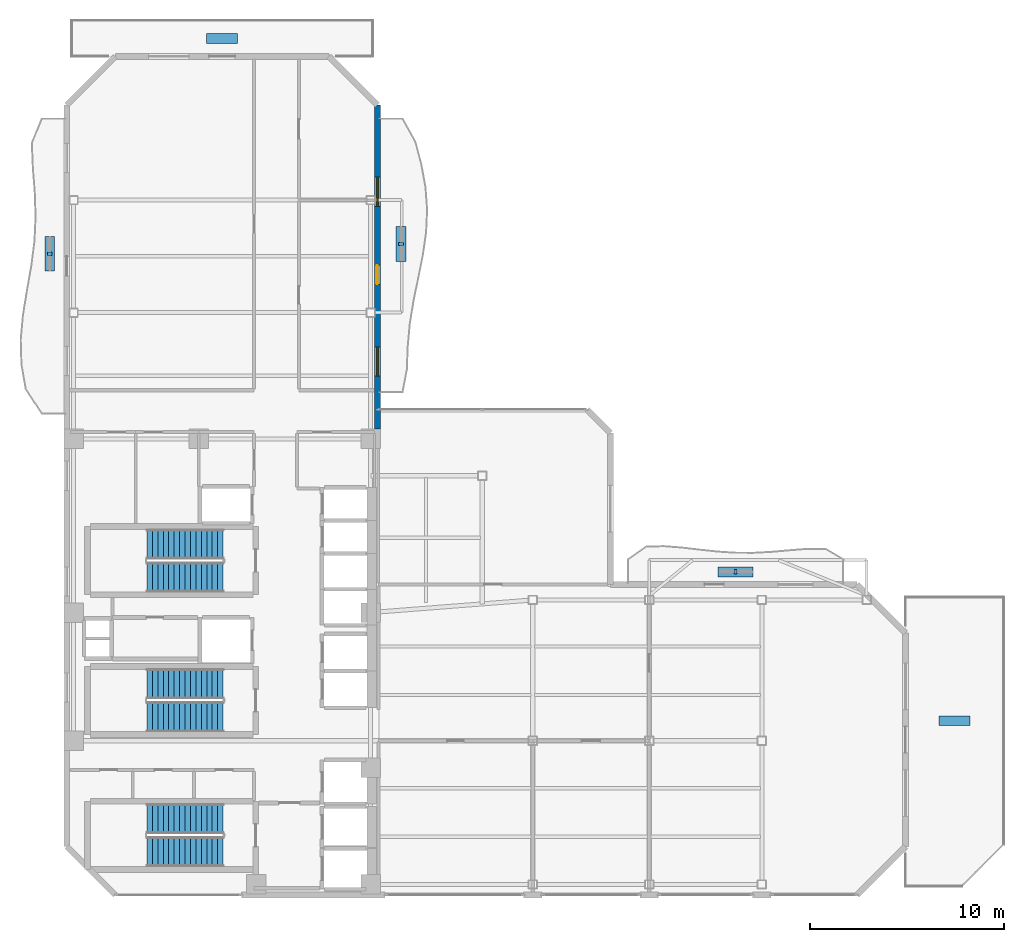
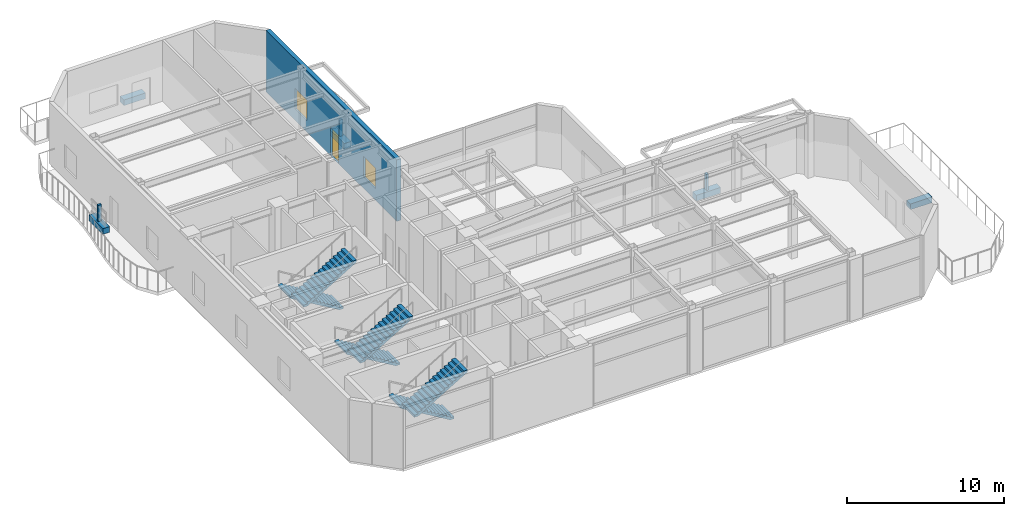
# One storey, part 13 of 16: 8 discrete accessories, 6 stair flights, 2 windows, 1 door, 1 wall, 3 openings, 3 elements without a shape of their own.
"""IFC4 building model written with IfcOpenShell, lengths in metres."""

from ifc_helpers import new_model, si_unit, direction, frame, frame_2d, origin, origin_2d, place, context, subcontext, project, spatial, polyline, rectangle, outline, extrude, material, layer, layer_set, type_object, element, fill, aggregate, save


model = new_model("IFC4")

# Units and contexts
model_context = context("Model", 3, precision=1e-05, world=origin(), true_north=direction((0.0, 1.0)))
body_context = subcontext(model_context, "Body", "Model", "MODEL_VIEW")
ifc_project = project(units=[si_unit("LENGTHUNIT", "METRE"), si_unit("AREAUNIT", "SQUARE_METRE"), si_unit("VOLUMEUNIT", "CUBIC_METRE"), si_unit("PLANEANGLEUNIT", "RADIAN"), si_unit("MASSUNIT", "GRAM", prefix="KILO")], contexts=[model_context])

# Site, building, storey
site_placement = place(None, origin())
site = spatial("IfcSite", under=ifc_project, at=site_placement, CompositionType="ELEMENT")
building_placement = place(site_placement, origin())
building = spatial("IfcBuilding", under=site, at=building_placement, Name="Mawjaban Terraces University", CompositionType="ELEMENT")
storey_placement = place(building_placement, frame((0.0, 0.0, 170.800048828125)))
storey = spatial("IfcBuildingStorey", under=building, at=storey_placement, Name="L41", CompositionType="ELEMENT", Elevation=170.800048828125)

# Wall, openings, door, windows
ifc_material_1 = material(Name="Insulated terracotta rainscreen on concrete backup C40/50", Category="masonry")
ifc_layer = layer(ifc_material_1, 0.300048828125)
ifc_layer_set = layer_set([ifc_layer], Name="Insulated terracotta rainscreen on concrete backup C40/50")
wall_type = type_object("IfcWallType", Name="ExtTerracottaWall_300", PredefinedType="SOLIDWALL", material=ifc_layer_set)
wall_placement = place(storey_placement, frame((38.0, 24.0, 0.0), z_axis=(0.0, 0.0, 1.0), x_axis=(0.0, 1.0, 0.0)))
wall = element("IfcWall", 1, at=wall_placement, inside=storey, type_object=wall_type, Name="L41 Exterior Terracotta Wall 9", PredefinedType="SOLIDWALL", context=body_context, shape_type="SweptSolid", body=[
    extrude(rectangle(XDim=16.699951171875, YDim=0.300048828125, at=frame_2d((8.35009765625, 0.0))), origin(), (0.0, 0.0, 1.0), 4.7900390625),
])
opening_1_placement = place(wall_placement, frame((7.449951171875, 0.0, 0.0)))
opening_1 = element("IfcOpeningElement", 2, at=opening_1_placement, cuts=wall, Name="Opening BD-100", PredefinedType="OPENING", context=body_context, shape_type="SweptSolid", body=[
    extrude(rectangle(XDim=1.0, YDim=2.199951171875, at=frame_2d((0.5, 1.10009765625))), frame((0.0, 0.159912109375, 0.0), z_axis=(0.0, -1.0, 0.0), x_axis=(1.0, 0.0, 0.0)), (0.0, 0.0, 1.0), 0.320068359375),
])
opening_2_placement = place(wall_placement, frame((2.72509765625, 0.0, 0.89990234375)))
opening_2 = element("IfcOpeningElement", 3, at=opening_2_placement, cuts=wall, Name="Opening W-02", PredefinedType="OPENING", context=body_context, shape_type="SweptSolid", body=[
    extrude(rectangle(XDim=1.5, YDim=1.60009765625, at=frame_2d((0.75, 0.800048828125))), frame((0.0, 0.159912109375, 0.0), z_axis=(0.0, -1.0, 0.0), x_axis=(1.0, 0.0, 0.0)), (0.0, 0.0, 1.0), 0.320068359375),
])
opening_3_placement = place(wall_placement, frame((11.47509765625, 0.0, 0.89990234375)))
opening_3 = element("IfcOpeningElement", 4, at=opening_3_placement, cuts=wall, Name="Opening W-02", PredefinedType="OPENING", context=body_context, shape_type="SweptSolid", body=[
    extrude(rectangle(XDim=1.5, YDim=1.60009765625, at=frame_2d((0.75, 0.800048828125))), frame((0.0, 0.159912109375, 0.0), z_axis=(0.0, -1.0, 0.0), x_axis=(1.0, 0.0, 0.0)), (0.0, 0.0, 1.0), 0.320068359375),
])
ifc_material_2 = material(Name="Thermally broken anodised aluminium and laminated safety glass", Category="aluminium")
door_type = type_object("IfcDoorType", Name="BalconyGlazedDoor_1000x2200", OperationType="NOTDEFINED", PredefinedType="DOOR", material=ifc_material_2)
door_placement = place(opening_1_placement, origin())
door = element("IfcDoor", 5, at=door_placement, inside=storey, type_object=door_type, Name="L41 Balcony Access Door inner_east", OperationType="SINGLE_SWING_RIGHT", OverallHeight=2.199951171875, OverallWidth=1.0, PredefinedType="DOOR", context=body_context, shape_type="SweptSolid", body=[
    extrude(rectangle(XDim=1.0, YDim=2.199951171875, at=frame_2d((0.5, 1.10009765625))), frame((0.0, 0.02490234375, 0.0), z_axis=(0.0, -1.0, 0.0), x_axis=(1.0, 0.0, 0.0)), (0.0, 0.0, 1.0), 0.050048828125),
])
fill(opening_1, door)
ifc_material_3 = material(Name="Low-E solar-control double glazing in thermally broken aluminium frame", Category="aluminium")
window_type = type_object("IfcWindowType", Name="Win_1500x1600", PartitioningType="SINGLE_PANEL", PredefinedType="WINDOW", material=ifc_material_3)
window_1_placement = place(opening_2_placement, origin())
window_1 = element("IfcWindow", 6, at=window_1_placement, inside=storey, type_object=window_type, Name="L41 Facade Window 9.1", OverallHeight=1.60009765625, OverallWidth=1.5, PartitioningType="SINGLE_PANEL", PredefinedType="WINDOW", context=body_context, shape_type="SweptSolid", body=[
    extrude(rectangle(XDim=1.5, YDim=1.60009765625, at=frame_2d((0.75, 0.800048828125))), frame((0.0, 0.030029296875, 0.0), z_axis=(0.0, -1.0, 0.0), x_axis=(1.0, 0.0, 0.0)), (0.0, 0.0, 1.0), 0.06005859375),
])
fill(opening_2, window_1)
window_2_placement = place(opening_3_placement, origin())
window_2 = element("IfcWindow", 7, at=window_2_placement, inside=storey, type_object=window_type, Name="L41 Facade Window 9.2", OverallHeight=1.60009765625, OverallWidth=1.5, PartitioningType="SINGLE_PANEL", PredefinedType="WINDOW", context=body_context, shape_type="SweptSolid", body=[
    extrude(rectangle(XDim=1.5, YDim=1.60009765625, at=frame_2d((0.75, 0.800048828125))), frame((0.0, 0.030029296875, 0.0), z_axis=(0.0, -1.0, 0.0), x_axis=(1.0, 0.0, 0.0)), (0.0, 0.0, 1.0), 0.06005859375),
])
fill(opening_3, window_2)

# Stair, stair flights
ifc_material_4 = material(Name="Concrete C40/50", Category="concrete")
stair_type = type_object("IfcStairType", Name="Stair_Core1550_H50", PredefinedType="HALF_TURN_STAIR", material=ifc_material_4)
stair_1_placement = place(storey_placement, origin())
stair_1 = element("IfcStair", 8, at=stair_1_placement, inside=storey, type_object=stair_type, Name="L41 Core Exit Stair 1", PredefinedType="HALF_TURN_STAIR")
stair_flight_type = type_object("IfcStairFlightType", Name="Flight_Core1550_H50", PredefinedType="STRAIGHT", material=ifc_material_4)
stair_flight_1_placement = place(storey_placement, frame((30.050048828125, 3.925048828125, 0.0), z_axis=(0.0, 0.0, 1.0), x_axis=(-1.0, 0.0, 0.0)))
stair_flight_1 = element("IfcStairFlight", 9, at=stair_flight_1_placement, type_object=stair_flight_type, Name="ST-1 flight 1", NumberOfRisers=15, NumberOfTreads=14, PredefinedType="STRAIGHT", RiserHeight=0.166666667, TreadLength=0.28, context=body_context, shape_type="SweptSolid", body=[
    extrude(outline(polyline([(0.0, 0.0), (0.0, 0.166748046875), (0.280029296875, 0.166748046875), (0.280029296875, 0.333251953125), (0.56005859375, 0.333251953125), (0.56005859375, 0.5), (0.840087890625, 0.5), (0.840087890625, 0.666748046875), (1.1201171875, 0.666748046875), (1.1201171875, 0.833251953125), (1.39990234375, 0.833251953125), (1.39990234375, 1.0), (1.679931640625, 1.0), (1.679931640625, 1.166748046875), (1.9599609375, 1.166748046875), (1.9599609375, 1.333251953125), (2.239990234375, 1.333251953125), (2.239990234375, 1.5), (2.52001953125, 1.5), (2.52001953125, 1.666748046875), (2.800048828125, 1.666748046875), (2.800048828125, 1.833251953125), (3.080078125, 1.833251953125), (3.080078125, 2.0), (3.360107421875, 2.0), (3.360107421875, 2.166748046875), (3.639892578125, 2.166748046875), (3.639892578125, 2.333251953125), (3.919921875, 2.333251953125), (3.919921875, 2.5), (3.919921875, 2.158935546875), (0.29296875, 0.0), (0.0, 0.0)])), frame((0.0, 0.77490234375, 0.0), z_axis=(0.0, -1.0, 0.0), x_axis=(1.0, 0.0, 0.0)), (0.0, 0.0, 1.0), 1.550048828125),
])
stair_flight_2_placement = place(storey_placement, frame((26.1298828125, 2.22509765625, 2.5), z_axis=(0.0, 0.0, 1.0), x_axis=(1.0, 0.0, 0.0)))
stair_flight_2 = element("IfcStairFlight", 10, at=stair_flight_2_placement, type_object=stair_flight_type, Name="ST-1 flight 2", NumberOfRisers=15, NumberOfTreads=14, PredefinedType="STRAIGHT", RiserHeight=0.166666667, TreadLength=0.28, context=body_context, shape_type="SweptSolid", body=[
    extrude(outline(polyline([(0.0, 0.0), (0.0, 0.166748046875), (0.280029296875, 0.166748046875), (0.280029296875, 0.333251953125), (0.56005859375, 0.333251953125), (0.56005859375, 0.5), (0.840087890625, 0.5), (0.840087890625, 0.666748046875), (1.1201171875, 0.666748046875), (1.1201171875, 0.833251953125), (1.39990234375, 0.833251953125), (1.39990234375, 1.0), (1.679931640625, 1.0), (1.679931640625, 1.166748046875), (1.9599609375, 1.166748046875), (1.9599609375, 1.333251953125), (2.239990234375, 1.333251953125), (2.239990234375, 1.5), (2.52001953125, 1.5), (2.52001953125, 1.666748046875), (2.800048828125, 1.666748046875), (2.800048828125, 1.833251953125), (3.080078125, 1.833251953125), (3.080078125, 2.0), (3.360107421875, 2.0), (3.360107421875, 2.166748046875), (3.639892578125, 2.166748046875), (3.639892578125, 2.333251953125), (3.919921875, 2.333251953125), (3.919921875, 2.5), (3.919921875, 2.158935546875), (0.29296875, 0.0), (0.0, 0.0)])), frame((0.0, 0.77490234375, 0.0), z_axis=(0.0, -1.0, 0.0), x_axis=(1.0, 0.0, 0.0)), (0.0, 0.0, 1.0), 1.550048828125),
])
aggregate(stair_1, [stair_flight_1, stair_flight_2])

stair_2_placement = place(storey_placement, origin())
stair_2 = element("IfcStair", 11, at=stair_2_placement, inside=storey, type_object=stair_type, Name="L41 Core Exit Stair 2", PredefinedType="HALF_TURN_STAIR")
stair_flight_3_placement = place(storey_placement, frame((30.050048828125, 18.074951171875, 0.0), z_axis=(0.0, 0.0, 1.0), x_axis=(-1.0, 0.0, 0.0)))
stair_flight_3 = element("IfcStairFlight", 12, at=stair_flight_3_placement, type_object=stair_flight_type, Name="ST-2 flight 1", NumberOfRisers=15, NumberOfTreads=14, PredefinedType="STRAIGHT", RiserHeight=0.166666667, TreadLength=0.28, context=body_context, shape_type="SweptSolid", body=[
    extrude(outline(polyline([(0.0, 0.0), (0.0, 0.166748046875), (0.280029296875, 0.166748046875), (0.280029296875, 0.333251953125), (0.56005859375, 0.333251953125), (0.56005859375, 0.5), (0.840087890625, 0.5), (0.840087890625, 0.666748046875), (1.1201171875, 0.666748046875), (1.1201171875, 0.833251953125), (1.39990234375, 0.833251953125), (1.39990234375, 1.0), (1.679931640625, 1.0), (1.679931640625, 1.166748046875), (1.9599609375, 1.166748046875), (1.9599609375, 1.333251953125), (2.239990234375, 1.333251953125), (2.239990234375, 1.5), (2.52001953125, 1.5), (2.52001953125, 1.666748046875), (2.800048828125, 1.666748046875), (2.800048828125, 1.833251953125), (3.080078125, 1.833251953125), (3.080078125, 2.0), (3.360107421875, 2.0), (3.360107421875, 2.166748046875), (3.639892578125, 2.166748046875), (3.639892578125, 2.333251953125), (3.919921875, 2.333251953125), (3.919921875, 2.5), (3.919921875, 2.158935546875), (0.29296875, 0.0), (0.0, 0.0)])), frame((0.0, 0.77490234375, 0.0), z_axis=(0.0, -1.0, 0.0), x_axis=(1.0, 0.0, 0.0)), (0.0, 0.0, 1.0), 1.550048828125),
])
stair_flight_4_placement = place(storey_placement, frame((26.1298828125, 16.375, 2.5), z_axis=(0.0, 0.0, 1.0), x_axis=(1.0, 0.0, 0.0)))
stair_flight_4 = element("IfcStairFlight", 13, at=stair_flight_4_placement, type_object=stair_flight_type, Name="ST-2 flight 2", NumberOfRisers=15, NumberOfTreads=14, PredefinedType="STRAIGHT", RiserHeight=0.166666667, TreadLength=0.28, context=body_context, shape_type="SweptSolid", body=[
    extrude(outline(polyline([(0.0, 0.0), (0.0, 0.166748046875), (0.280029296875, 0.166748046875), (0.280029296875, 0.333251953125), (0.56005859375, 0.333251953125), (0.56005859375, 0.5), (0.840087890625, 0.5), (0.840087890625, 0.666748046875), (1.1201171875, 0.666748046875), (1.1201171875, 0.833251953125), (1.39990234375, 0.833251953125), (1.39990234375, 1.0), (1.679931640625, 1.0), (1.679931640625, 1.166748046875), (1.9599609375, 1.166748046875), (1.9599609375, 1.333251953125), (2.239990234375, 1.333251953125), (2.239990234375, 1.5), (2.52001953125, 1.5), (2.52001953125, 1.666748046875), (2.800048828125, 1.666748046875), (2.800048828125, 1.833251953125), (3.080078125, 1.833251953125), (3.080078125, 2.0), (3.360107421875, 2.0), (3.360107421875, 2.166748046875), (3.639892578125, 2.166748046875), (3.639892578125, 2.333251953125), (3.919921875, 2.333251953125), (3.919921875, 2.5), (3.919921875, 2.158935546875), (0.29296875, 0.0), (0.0, 0.0)])), frame((0.0, 0.77490234375, 0.0), z_axis=(0.0, -1.0, 0.0), x_axis=(1.0, 0.0, 0.0)), (0.0, 0.0, 1.0), 1.550048828125),
])
aggregate(stair_2, [stair_flight_3, stair_flight_4])

stair_3_placement = place(storey_placement, origin())
stair_3 = element("IfcStair", 14, at=stair_3_placement, inside=storey, type_object=stair_type, Name="L41 Core Exit Stair 3", PredefinedType="HALF_TURN_STAIR")
stair_flight_5_placement = place(storey_placement, frame((30.050048828125, 10.875, 0.0), z_axis=(0.0, 0.0, 1.0), x_axis=(-1.0, 0.0, 0.0)))
stair_flight_5 = element("IfcStairFlight", 15, at=stair_flight_5_placement, type_object=stair_flight_type, Name="ST-3 flight 1", NumberOfRisers=15, NumberOfTreads=14, PredefinedType="STRAIGHT", RiserHeight=0.166666667, TreadLength=0.28, context=body_context, shape_type="SweptSolid", body=[
    extrude(outline(polyline([(0.0, 0.0), (0.0, 0.166748046875), (0.280029296875, 0.166748046875), (0.280029296875, 0.333251953125), (0.56005859375, 0.333251953125), (0.56005859375, 0.5), (0.840087890625, 0.5), (0.840087890625, 0.666748046875), (1.1201171875, 0.666748046875), (1.1201171875, 0.833251953125), (1.39990234375, 0.833251953125), (1.39990234375, 1.0), (1.679931640625, 1.0), (1.679931640625, 1.166748046875), (1.9599609375, 1.166748046875), (1.9599609375, 1.333251953125), (2.239990234375, 1.333251953125), (2.239990234375, 1.5), (2.52001953125, 1.5), (2.52001953125, 1.666748046875), (2.800048828125, 1.666748046875), (2.800048828125, 1.833251953125), (3.080078125, 1.833251953125), (3.080078125, 2.0), (3.360107421875, 2.0), (3.360107421875, 2.166748046875), (3.639892578125, 2.166748046875), (3.639892578125, 2.333251953125), (3.919921875, 2.333251953125), (3.919921875, 2.5), (3.919921875, 2.158935546875), (0.29296875, 0.0), (0.0, 0.0)])), frame((0.0, 0.77490234375, 0.0), z_axis=(0.0, -1.0, 0.0), x_axis=(1.0, 0.0, 0.0)), (0.0, 0.0, 1.0), 1.550048828125),
])
stair_flight_6_placement = place(storey_placement, frame((26.1298828125, 9.175048828125, 2.5), z_axis=(0.0, 0.0, 1.0), x_axis=(1.0, 0.0, 0.0)))
stair_flight_6 = element("IfcStairFlight", 16, at=stair_flight_6_placement, type_object=stair_flight_type, Name="ST-3 flight 2", NumberOfRisers=15, NumberOfTreads=14, PredefinedType="STRAIGHT", RiserHeight=0.166666667, TreadLength=0.28, context=body_context, shape_type="SweptSolid", body=[
    extrude(outline(polyline([(0.0, 0.0), (0.0, 0.166748046875), (0.280029296875, 0.166748046875), (0.280029296875, 0.333251953125), (0.56005859375, 0.333251953125), (0.56005859375, 0.5), (0.840087890625, 0.5), (0.840087890625, 0.666748046875), (1.1201171875, 0.666748046875), (1.1201171875, 0.833251953125), (1.39990234375, 0.833251953125), (1.39990234375, 1.0), (1.679931640625, 1.0), (1.679931640625, 1.166748046875), (1.9599609375, 1.166748046875), (1.9599609375, 1.333251953125), (2.239990234375, 1.333251953125), (2.239990234375, 1.5), (2.52001953125, 1.5), (2.52001953125, 1.666748046875), (2.800048828125, 1.666748046875), (2.800048828125, 1.833251953125), (3.080078125, 1.833251953125), (3.080078125, 2.0), (3.360107421875, 2.0), (3.360107421875, 2.166748046875), (3.639892578125, 2.166748046875), (3.639892578125, 2.333251953125), (3.919921875, 2.333251953125), (3.919921875, 2.5), (3.919921875, 2.158935546875), (0.29296875, 0.0), (0.0, 0.0)])), frame((0.0, 0.77490234375, 0.0), z_axis=(0.0, -1.0, 0.0), x_axis=(1.0, 0.0, 0.0)), (0.0, 0.0, 1.0), 1.550048828125),
])
aggregate(stair_3, [stair_flight_5, stair_flight_6])

# Discrete accessories
ifc_material_5 = material(Name="Stainless steel 316L", Category="steel")
discrete_accessory_type_1 = type_object("IfcDiscreteAccessoryType", Name="FacadeScreenBracket_Steel", PredefinedType="BRACKET", material=ifc_material_5)
for number, where, z_axis, x_axis, name in (
    (17, (21.123046875, 33.033935546875, 0.419921875), (0.0, 0.0, 1.0), (0.0, 1.0, 0.0), "L41 Balcony Screen Support Bracket west"),
    (18, (56.449951171875, 16.64501953125, 0.419921875), (0.0, 0.0, 1.0), (1.0, 0.0, 0.0), "L41 Balcony Screen Support Bracket inner_north"),
    (19, (39.2109375, 33.5380859375, 0.419921875), (0.0, 0.0, 1.0), (0.0, 1.0, 0.0), "L41 Balcony Screen Support Bracket inner_east"),
):
    element("IfcDiscreteAccessory", number, at=place(storey_placement, frame(where, z_axis=z_axis, x_axis=x_axis)), inside=storey, type_object=discrete_accessory_type_1, Name=name, PredefinedType="BRACKET", context=body_context, shape_type="SweptSolid", body=[
        extrude(rectangle(XDim=0.159912109375, YDim=0.239990234375, at=origin_2d()), origin(), (0.0, 0.0, 1.0), 1.300048828125),
    ])
ifc_material_6 = material(Name="Precast architectural terracotta planter with engineered planting soil", Category="masonry")
discrete_accessory_type_2 = type_object("IfcDiscreteAccessoryType", Name="IrrigatedPlanterTrough_450", PredefinedType="USERDEFINED", material=ifc_material_6)
for number, where, z_axis, x_axis, name in (
    (20, (21.123046875, 33.033935546875, -0.0048828125), (0.0, 0.0, 1.0), (0.0, 1.0, 0.0), "L41 Balcony Irrigated Planter west"),
    (21, (56.449951171875, 16.64501953125, -0.0048828125), (0.0, 0.0, 1.0), (1.0, 0.0, 0.0), "L41 Balcony Irrigated Planter inner_north"),
    (22, (39.2109375, 33.5380859375, -0.0048828125), (0.0, 0.0, 1.0), (0.0, 1.0, 0.0), "L41 Balcony Irrigated Planter inner_east"),
):
    element("IfcDiscreteAccessory", number, at=place(storey_placement, frame(where, z_axis=z_axis, x_axis=x_axis)), inside=storey, type_object=discrete_accessory_type_2, Name=name, ObjectType="PLANTER", PredefinedType="USERDEFINED", context=body_context, shape_type="SweptSolid", body=[
        extrude(rectangle(XDim=1.800048828125, YDim=0.5, at=origin_2d()), origin(), (0.0, 0.0, 1.0), 0.449951171875),
    ])
for number, where, z_axis, x_axis, name in (
    (23, (67.72509765625, 8.97509765625, -0.0048828125), (0.0, 0.0, 1.0), (1.0, 0.0, 0.0), "L41 Terrace Planter TER-L41-EAST"),
    (24, (30.0, 44.125, -0.0048828125), (0.0, 0.0, 1.0), (1.0, 0.0, 0.0), "L41 Terrace Planter TER-L41-NORTH"),
):
    element("IfcDiscreteAccessory", number, at=place(storey_placement, frame(where, z_axis=z_axis, x_axis=x_axis)), inside=storey, type_object=discrete_accessory_type_2, Name=name, ObjectType="PLANTER", PredefinedType="USERDEFINED", context=body_context, shape_type="SweptSolid", body=[
        extrude(rectangle(XDim=1.60009765625, YDim=0.5, at=origin_2d()), origin(), (0.0, 0.0, 1.0), 0.449951171875),
    ])

save(model, "model.ifc")
